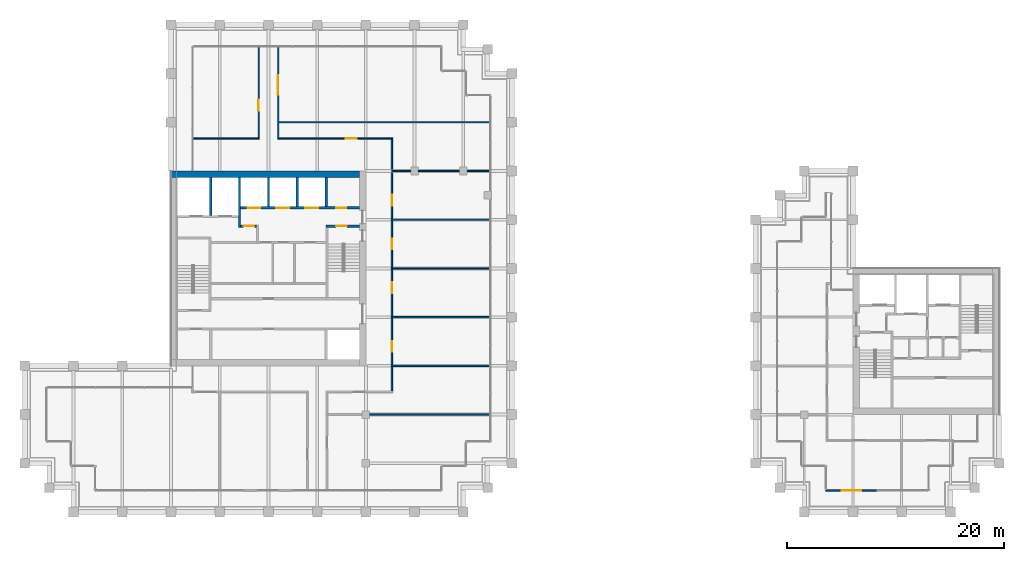
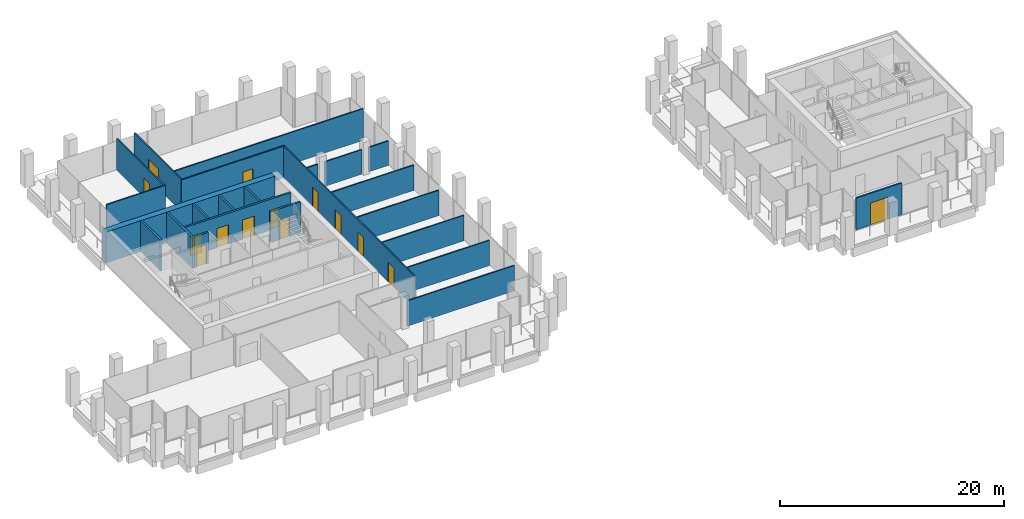
# One storey, part 37 of 40: 24 walls, 14 doors, 14 openings.
"""IFC4 building model written with IfcOpenShell, lengths in metres."""

from ifc_helpers import new_model, si_unit, direction, frame, frame_2d, origin, place, context, subcontext, project, spatial, rectangle, extrude, material, layer, layer_set, type_object, element, fill, save


model = new_model("IFC4")

# Units and contexts
model_context = context("Model", 3, precision=1e-05, world=origin(), true_north=direction((0.0, 1.0)))
body_context = subcontext(model_context, "Body", "Model", "MODEL_VIEW")
ifc_project = project(units=[si_unit("LENGTHUNIT", "METRE"), si_unit("AREAUNIT", "SQUARE_METRE"), si_unit("VOLUMEUNIT", "CUBIC_METRE"), si_unit("PLANEANGLEUNIT", "RADIAN"), si_unit("MASSUNIT", "GRAM", prefix="KILO")], contexts=[model_context])

# Site, building, storey
site_placement = place(None, origin())
site = spatial("IfcSite", under=ifc_project, at=site_placement, CompositionType="ELEMENT")
building_placement = place(site_placement, origin())
building = spatial("IfcBuilding", under=site, at=building_placement, Name="Altepetl Exchange Towers", CompositionType="ELEMENT")
storey_placement = place(building_placement, frame((0.0, 0.0, 179.800048828125)))
storey = spatial("IfcBuildingStorey", under=building, at=storey_placement, Name="L45", CompositionType="ELEMENT", Elevation=179.800048828125)

# Wall
ifc_material_1 = material(Name="Concrete C70/85", Category="concrete")
ifc_layer_1 = layer(ifc_material_1, 0.60009765625)
ifc_layer_set_1 = layer_set([ifc_layer_1], Name="Concrete C70/85")
wall_type_1 = type_object("IfcWallType", Name="Core wall 600 reinforced concrete", PredefinedType="SHEAR", material=ifc_layer_set_1)
wall_1_placement = place(storey_placement, frame((40.5, 58.199951171875, 0.0)))
element("IfcWall", 1, at=wall_1_placement, inside=storey, type_object=wall_type_1, Name="wall:A:L45:K-coreN", PredefinedType="SHEAR", context=body_context, shape_type="SweptSolid", body=[
    extrude(rectangle(XDim=17.39990234375, YDim=0.60009765625, at=frame_2d((8.699951171875, 0.0))), origin(), (0.0, 0.0, 1.0), 3.349853515625),
])

# Wall, opening, door
ifc_material_2 = material(Name="Aluminium composite cladding", Category="aluminium")
ifc_layer_2 = layer(ifc_material_2, 0.14990234375)
ifc_layer_set_2 = layer_set([ifc_layer_2], Name="Aluminium composite cladding")
wall_type_2 = type_object("IfcWallType", Name="Infill wall 150 aluminium panel", PredefinedType="SOLIDWALL", material=ifc_layer_set_2)
wall_2_placement = place(storey_placement, frame((101.0, 29.0, 0.0)))
wall_2 = element("IfcWall", 2, at=wall_2_placement, inside=storey, type_object=wall_type_2, Name="Loggia door bay wall", PredefinedType="SOLIDWALL", context=body_context, shape_type="SweptSolid", body=[
    extrude(rectangle(XDim=4.71240234375, YDim=0.14990234375, at=frame_2d((2.356201171875, 0.0))), origin(), (0.0, 0.0, 1.0), 3.449951171875),
])
opening_1_placement = place(wall_2_placement, frame((1.456298828125, 0.0, 0.0)))
opening_1 = element("IfcOpeningElement", 3, at=opening_1_placement, cuts=wall_2, Name="Opening L45.B90", PredefinedType="OPENING", context=body_context, shape_type="SweptSolid", body=[
    extrude(rectangle(XDim=1.800048828125, YDim=2.39990234375, at=frame_2d((0.89990234375, 1.199951171875))), frame((0.0, 0.0849609375, 0.0), z_axis=(0.0, -1.0, 0.0), x_axis=(1.0, 0.0, 0.0)), (0.0, 0.0, 1.0), 0.169921875),
])
ifc_material_3 = material(Name="Aluminium 6063-T6 and glass", Category="aluminium")
door_type_1 = type_object("IfcDoorType", Name="Glazed door pair 1800x2400", OperationType="DOUBLE_DOOR_DOUBLE_SWING", PredefinedType="NOTDEFINED", material=ifc_material_3)
door_1_placement = place(opening_1_placement, frame((1.800048828125, 0.0, 0.0), x_axis=(-1.0, 0.0, 0.0)))
door_1 = element("IfcDoor", 4, at=door_1_placement, inside=storey, type_object=door_type_1, Name="Loggia door", OperationType="DOUBLE_DOOR_DOUBLE_SWING", OverallHeight=2.39990234375, OverallWidth=1.800048828125, PredefinedType="NOTDEFINED", context=body_context, shape_type="SweptSolid", body=[
    extrude(rectangle(XDim=1.800048828125, YDim=2.39990234375, at=frame_2d((0.89990234375, 1.199951171875))), frame((0.0, 0.02490234375, 0.0), z_axis=(0.0, -1.0, 0.0), x_axis=(1.0, 0.0, 0.0)), (0.0, 0.0, 1.0), 0.050048828125),
])
fill(opening_1, door_1)

ifc_material_4 = material(Name="Concrete blockwork", Category="masonry")
ifc_layer_3 = layer(ifc_material_4, 0.199951171875)
ifc_layer_set_3 = layer_set([ifc_layer_3], Name="Concrete blockwork")
wall_type_3 = type_object("IfcWallType", Name="Lobby wall 200 blockwork", PredefinedType="PARTITIONING", material=ifc_layer_set_3)
wall_3_placement = place(storey_placement, frame((46.933349609375, 53.39990234375, 0.0)))
wall_3 = element("IfcWall", 5, at=wall_3_placement, inside=storey, type_object=wall_type_3, Name="wall:A:L45:K-ffN", PredefinedType="PARTITIONING", context=body_context, shape_type="SweptSolid", body=[
    extrude(rectangle(XDim=1.466552734375, YDim=0.199951171875, at=frame_2d((0.7333984375, 0.0))), origin(), (0.0, 0.0, 1.0), 3.349853515625),
])
opening_2_placement = place(wall_3_placement, frame((0.2666015625, 0.0, 0.0)))
opening_2 = element("IfcOpeningElement", 6, at=opening_2_placement, cuts=wall_3, Name="Opening L45.A65", PredefinedType="OPENING", context=body_context, shape_type="SweptSolid", body=[
    extrude(rectangle(XDim=1.0, YDim=2.10009765625, at=frame_2d((0.5, 1.050048828125))), frame((0.0, 0.10986328125, 0.0), z_axis=(0.0, -1.0, 0.0), x_axis=(1.0, 0.0, 0.0)), (0.0, 0.0, 1.0), 0.219970703125),
])
ifc_material_5 = material(Name="Steel and timber fire door", Category="steel")
door_type_2 = type_object("IfcDoorType", Name="Fire door 1000 x 2100 stair and lobby", OperationType="SINGLE_SWING_LEFT", PredefinedType="DOOR", material=ifc_material_5)
door_2_placement = place(opening_2_placement, frame((1.0, 0.0, 0.0), x_axis=(-1.0, 0.0, 0.0)))
door_2 = element("IfcDoor", 7, at=door_2_placement, inside=storey, type_object=door_type_2, Name="door:A:L45:K-dffN", OperationType="SINGLE_SWING_RIGHT", OverallHeight=2.10009765625, OverallWidth=1.0, PredefinedType="DOOR", context=body_context, shape_type="SweptSolid", body=[
    extrude(rectangle(XDim=1.0, YDim=2.10009765625, at=frame_2d((0.5, 1.050048828125))), frame((0.0, 0.02490234375, 0.0), z_axis=(0.0, -1.0, 0.0), x_axis=(1.0, 0.0, 0.0)), (0.0, 0.0, 1.0), 0.050048828125),
])
fill(opening_2, door_2)

# Walls
ifc_material_6 = material(Name="Timber panels on aluminium track", Category="wood")
ifc_layer_4 = layer(ifc_material_6, 0.125)
ifc_layer_set_4 = layer_set([ifc_layer_4], Name="Timber panels on aluminium track")
wall_type_4 = type_object("IfcWallType", Name="Operable acoustic partition 125", PredefinedType="MOVABLE", material=ifc_layer_set_4)
wall_4_placement = place(storey_placement, frame((60.89990234375, 45.0, 0.0)))
element("IfcWall", 8, at=wall_4_placement, inside=storey, type_object=wall_type_4, Name="wall:A:L45:P06", PredefinedType="MOVABLE", context=body_context, shape_type="SweptSolid", body=[
    extrude(rectangle(XDim=9.0, YDim=0.125, at=frame_2d((4.5, 0.0))), origin(), (0.0, 0.0, 1.0), 2.765869140625),
])
ifc_material_7 = material(Name="Gypsum board on steel studs", Category="steel")
ifc_layer_5 = layer(ifc_material_7, 0.125)
ifc_layer_set_5 = layer_set([ifc_layer_5], Name="Gypsum board on steel studs")
wall_type_5 = type_object("IfcWallType", Name="Partition 125 gypsum board on steel studs", PredefinedType="PARTITIONING", material=ifc_layer_set_5)
wall_5_placement = place(storey_placement, frame((58.85009765625, 36.0, 0.0)))
element("IfcWall", 9, at=wall_5_placement, inside=storey, type_object=wall_type_5, Name="wall:A:L45:P02", PredefinedType="PARTITIONING", context=body_context, shape_type="SweptSolid", body=[
    extrude(rectangle(XDim=11.0498046875, YDim=0.125, at=frame_2d((5.52490234375, 0.0))), origin(), (0.0, 0.0, 1.0), 2.765869140625),
])
for number, where, name in (
    (10, (60.89990234375, 40.5, 0.0), "wall:A:L45:P05"),
    (11, (60.89990234375, 49.5, 0.0), "wall:A:L45:P07"),
    (12, (60.89990234375, 54.0, 0.0), "wall:A:L45:P08"),
):
    element("IfcWall", number, at=place(storey_placement, frame(where)), inside=storey, type_object=wall_type_5, Name=name, PredefinedType="PARTITIONING", context=body_context, shape_type="SweptSolid", body=[
        extrude(rectangle(XDim=9.0, YDim=0.125, at=frame_2d((4.5, 0.0))), origin(), (0.0, 0.0, 1.0), 2.765869140625),
    ])
wall_6_placement = place(storey_placement, frame((60.89990234375, 58.5, 0.0)))
element("IfcWall", 13, at=wall_6_placement, inside=storey, type_object=wall_type_5, Name="wall:A:L45:P09", PredefinedType="PARTITIONING", context=body_context, shape_type="SweptSolid", body=[
    extrude(rectangle(XDim=1.75, YDim=0.125, at=frame_2d((0.875, 0.0))), origin(), (0.0, 0.0, 1.0), 2.676025390625),
])
wall_7_placement = place(storey_placement, frame((63.35009765625, 58.5, 0.0)))
element("IfcWall", 14, at=wall_7_placement, inside=storey, type_object=wall_type_5, Name="wall:A:L45:P10", PredefinedType="PARTITIONING", context=body_context, shape_type="SweptSolid", body=[
    extrude(rectangle(XDim=3.7998046875, YDim=0.125, at=frame_2d((1.89990234375, 0.0))), origin(), (0.0, 0.0, 1.0), 2.676025390625),
])
wall_8_placement = place(storey_placement, frame((67.85009765625, 58.5, 0.0)))
element("IfcWall", 15, at=wall_8_placement, inside=storey, type_object=wall_type_5, Name="wall:A:L45:P11", PredefinedType="PARTITIONING", context=body_context, shape_type="SweptSolid", body=[
    extrude(rectangle(XDim=2.0498046875, YDim=0.125, at=frame_2d((1.02490234375, 0.0))), origin(), (0.0, 0.0, 1.0), 2.676025390625),
])
wall_9_placement = place(storey_placement, frame((42.60009765625, 61.5, 0.0)))
element("IfcWall", 16, at=wall_9_placement, inside=storey, type_object=wall_type_5, Name="wall:A:L45:P12", PredefinedType="PARTITIONING", context=body_context, shape_type="SweptSolid", body=[
    extrude(rectangle(XDim=6.0625, YDim=0.125, at=frame_2d((3.03125, 0.0))), origin(), (0.0, 0.0, 1.0), 3.449951171875),
])

# Wall, opening, door
wall_10_placement = place(storey_placement, frame((50.33740234375, 61.5, 0.0)))
wall_10 = element("IfcWall", 17, at=wall_10_placement, inside=storey, type_object=wall_type_5, Name="wall:A:L45:P13", PredefinedType="PARTITIONING", context=body_context, shape_type="SweptSolid", body=[
    extrude(rectangle(XDim=10.625, YDim=0.125, at=frame_2d((5.3125, 0.0))), origin(), (0.0, 0.0, 1.0), 3.449951171875),
])
opening_3_placement = place(wall_10_placement, frame((6.3173828125, 0.0, 0.0)))
opening_3 = element("IfcOpeningElement", 18, at=opening_3_placement, cuts=wall_10, Name="Opening L45.A09", PredefinedType="OPENING", context=body_context, shape_type="SweptSolid", body=[
    extrude(rectangle(XDim=1.0, YDim=2.10009765625, at=frame_2d((0.5, 1.050048828125))), frame((0.0, 0.072509765625, 0.0), z_axis=(0.0, -1.0, 0.0), x_axis=(1.0, 0.0, 0.0)), (0.0, 0.0, 1.0), 0.14501953125),
])
door_type_3 = type_object("IfcDoorType", Name="Fire door 1000 x 2100 single leaf", OperationType="SINGLE_SWING_LEFT", PredefinedType="DOOR", material=ifc_material_5)
door_3_placement = place(opening_3_placement, frame((1.0, 0.0, 0.0), x_axis=(-1.0, 0.0, 0.0)))
door_3 = element("IfcDoor", 19, at=door_3_placement, inside=storey, type_object=door_type_3, Name="door:A:L45:09", OperationType="SINGLE_SWING_LEFT", OverallHeight=2.10009765625, OverallWidth=1.0, PredefinedType="DOOR", context=body_context, shape_type="SweptSolid", body=[
    extrude(rectangle(XDim=1.0, YDim=2.10009765625, at=frame_2d((0.5, 1.050048828125))), frame((0.0, 0.02490234375, 0.0), z_axis=(0.0, -1.0, 0.0), x_axis=(1.0, 0.0, 0.0)), (0.0, 0.0, 1.0), 0.050048828125),
])
fill(opening_3, door_3)

# Wall
wall_11_placement = place(storey_placement, frame((50.39990234375, 63.0, 0.0)))
element("IfcWall", 20, at=wall_11_placement, inside=storey, type_object=wall_type_5, Name="wall:A:L45:P14", PredefinedType="PARTITIONING", context=body_context, shape_type="SweptSolid", body=[
    extrude(rectangle(XDim=19.5, YDim=0.125, at=frame_2d((9.75, 0.0))), origin(), (0.0, 0.0, 1.0), 3.449951171875),
])

# Wall, opening, door
wall_12_placement = place(storey_placement, frame((48.60009765625, 61.5625, 0.0), z_axis=(0.0, 0.0, 1.0), x_axis=(0.0, 1.0, 0.0)))
wall_12 = element("IfcWall", 21, at=wall_12_placement, inside=storey, type_object=wall_type_5, Name="wall:A:L45:P17", PredefinedType="PARTITIONING", context=body_context, shape_type="SweptSolid", body=[
    extrude(rectangle(XDim=8.33740234375, YDim=0.125, at=frame_2d((4.168701171875, 0.0))), origin(), (0.0, 0.0, 1.0), 3.449951171875),
])
opening_4_placement = place(wall_12_placement, frame((2.49951171875, 0.0, 0.0)))
opening_4 = element("IfcOpeningElement", 22, at=opening_4_placement, cuts=wall_12, Name="Opening L45.A11", PredefinedType="OPENING", context=body_context, shape_type="SweptSolid", body=[
    extrude(rectangle(XDim=1.0, YDim=2.10009765625, at=frame_2d((0.5, 1.050048828125))), frame((0.0, 0.072509765625, 0.0), z_axis=(0.0, -1.0, 0.0), x_axis=(1.0, 0.0, 0.0)), (0.0, 0.0, 1.0), 0.14501953125),
])
door_4_placement = place(opening_4_placement, origin())
door_4 = element("IfcDoor", 23, at=door_4_placement, inside=storey, type_object=door_type_3, Name="door:A:L45:11", OperationType="SINGLE_SWING_RIGHT", OverallHeight=2.10009765625, OverallWidth=1.0, PredefinedType="DOOR", context=body_context, shape_type="SweptSolid", body=[
    extrude(rectangle(XDim=1.0, YDim=2.10009765625, at=frame_2d((0.5, 1.050048828125))), frame((0.0, 0.02490234375, 0.0), z_axis=(0.0, -1.0, 0.0), x_axis=(1.0, 0.0, 0.0)), (0.0, 0.0, 1.0), 0.050048828125),
])
fill(opening_4, door_4)

wall_13_placement = place(storey_placement, frame((50.39990234375, 61.5625, 0.0), z_axis=(0.0, 0.0, 1.0), x_axis=(0.0, 1.0, 0.0)))
wall_13 = element("IfcWall", 24, at=wall_13_placement, inside=storey, type_object=wall_type_5, Name="wall:A:L45:P18", PredefinedType="PARTITIONING", context=body_context, shape_type="SweptSolid", body=[
    extrude(rectangle(XDim=8.33740234375, YDim=0.125, at=frame_2d((4.168701171875, 0.0))), origin(), (0.0, 0.0, 1.0), 3.449951171875),
])
opening_5_placement = place(wall_13_placement, frame((3.987548828125, 0.0, 0.0)))
opening_5 = element("IfcOpeningElement", 25, at=opening_5_placement, cuts=wall_13, Name="Opening L45.A10", PredefinedType="OPENING", context=body_context, shape_type="SweptSolid", body=[
    extrude(rectangle(XDim=1.800048828125, YDim=2.10009765625, at=frame_2d((0.89990234375, 1.050048828125))), frame((0.0, 0.072509765625, 0.0), z_axis=(0.0, -1.0, 0.0), x_axis=(1.0, 0.0, 0.0)), (0.0, 0.0, 1.0), 0.14501953125),
])
door_type_4 = type_object("IfcDoorType", Name="Fire door 1800 x 2100 double leaf", OperationType="DOUBLE_DOOR_SINGLE_SWING", PredefinedType="DOOR", material=ifc_material_5)
door_5_placement = place(opening_5_placement, frame((1.800048828125, 0.0, 0.0), x_axis=(-1.0, 0.0, 0.0)))
door_5 = element("IfcDoor", 26, at=door_5_placement, inside=storey, type_object=door_type_4, Name="door:A:L45:10", OperationType="DOUBLE_DOOR_SINGLE_SWING", OverallHeight=2.10009765625, OverallWidth=1.800048828125, PredefinedType="DOOR", context=body_context, shape_type="SweptSolid", body=[
    extrude(rectangle(XDim=1.800048828125, YDim=2.10009765625, at=frame_2d((0.89990234375, 1.050048828125))), frame((0.0, 0.02490234375, 0.0), z_axis=(0.0, -1.0, 0.0), x_axis=(1.0, 0.0, 0.0)), (0.0, 0.0, 1.0), 0.050048828125),
])
fill(opening_5, door_5)

# Wall, openings, doors
wall_14_placement = place(storey_placement, frame((60.89990234375, 38.16259765625, 0.0), z_axis=(0.0, 0.0, 1.0), x_axis=(0.0, 1.0, 0.0)))
wall_14 = element("IfcWall", 27, at=wall_14_placement, inside=storey, type_object=wall_type_5, Name="wall:A:L45:P21", PredefinedType="PARTITIONING", context=body_context, shape_type="SweptSolid", body=[
    extrude(rectangle(XDim=23.27490234375, YDim=0.125, at=frame_2d((11.637451171875, 0.0))), origin(), (0.0, 0.0, 1.0), 3.449951171875),
])
opening_6_placement = place(wall_14_placement, frame((3.632568359375, 0.0, 0.0)))
opening_6 = element("IfcOpeningElement", 28, at=opening_6_placement, cuts=wall_14, Name="Opening L45.A05", PredefinedType="OPENING", context=body_context, shape_type="SweptSolid", body=[
    extrude(rectangle(XDim=1.0, YDim=2.10009765625, at=frame_2d((0.5, 1.050048828125))), frame((0.0, 0.072509765625, 0.0), z_axis=(0.0, -1.0, 0.0), x_axis=(1.0, 0.0, 0.0)), (0.0, 0.0, 1.0), 0.14501953125),
])
opening_7_placement = place(wall_14_placement, frame((9.04248046875, 0.0, 0.0)))
opening_7 = element("IfcOpeningElement", 29, at=opening_7_placement, cuts=wall_14, Name="Opening L45.A06", PredefinedType="OPENING", context=body_context, shape_type="SweptSolid", body=[
    extrude(rectangle(XDim=1.0, YDim=2.10009765625, at=frame_2d((0.5, 1.050048828125))), frame((0.0, 0.072509765625, 0.0), z_axis=(0.0, -1.0, 0.0), x_axis=(1.0, 0.0, 0.0)), (0.0, 0.0, 1.0), 0.14501953125),
])
opening_8_placement = place(wall_14_placement, frame((13.08740234375, 0.0, 0.0)))
opening_8 = element("IfcOpeningElement", 30, at=opening_8_placement, cuts=wall_14, Name="Opening L45.A07", PredefinedType="OPENING", context=body_context, shape_type="SweptSolid", body=[
    extrude(rectangle(XDim=1.0, YDim=2.10009765625, at=frame_2d((0.5, 1.050048828125))), frame((0.0, 0.072509765625, 0.0), z_axis=(0.0, -1.0, 0.0), x_axis=(1.0, 0.0, 0.0)), (0.0, 0.0, 1.0), 0.14501953125),
])
opening_9_placement = place(wall_14_placement, frame((17.132568359375, 0.0, 0.0)))
opening_9 = element("IfcOpeningElement", 31, at=opening_9_placement, cuts=wall_14, Name="Opening L45.A08", PredefinedType="OPENING", context=body_context, shape_type="SweptSolid", body=[
    extrude(rectangle(XDim=1.0, YDim=2.10009765625, at=frame_2d((0.5, 1.050048828125))), frame((0.0, 0.072509765625, 0.0), z_axis=(0.0, -1.0, 0.0), x_axis=(1.0, 0.0, 0.0)), (0.0, 0.0, 1.0), 0.14501953125),
])
door_6_placement = place(opening_6_placement, frame((1.0, 0.0, 0.0), x_axis=(-1.0, 0.0, 0.0)))
door_6 = element("IfcDoor", 32, at=door_6_placement, inside=storey, type_object=door_type_3, Name="door:A:L45:05", OperationType="SINGLE_SWING_LEFT", OverallHeight=2.10009765625, OverallWidth=1.0, PredefinedType="DOOR", context=body_context, shape_type="SweptSolid", body=[
    extrude(rectangle(XDim=1.0, YDim=2.10009765625, at=frame_2d((0.5, 1.050048828125))), frame((0.0, 0.02490234375, 0.0), z_axis=(0.0, -1.0, 0.0), x_axis=(1.0, 0.0, 0.0)), (0.0, 0.0, 1.0), 0.050048828125),
])
fill(opening_6, door_6)
door_7_placement = place(opening_7_placement, frame((1.0, 0.0, 0.0), x_axis=(-1.0, 0.0, 0.0)))
door_7 = element("IfcDoor", 33, at=door_7_placement, inside=storey, type_object=door_type_3, Name="door:A:L45:06", OperationType="SINGLE_SWING_RIGHT", OverallHeight=2.10009765625, OverallWidth=1.0, PredefinedType="DOOR", context=body_context, shape_type="SweptSolid", body=[
    extrude(rectangle(XDim=1.0, YDim=2.10009765625, at=frame_2d((0.5, 1.050048828125))), frame((0.0, 0.02490234375, 0.0), z_axis=(0.0, -1.0, 0.0), x_axis=(1.0, 0.0, 0.0)), (0.0, 0.0, 1.0), 0.050048828125),
])
fill(opening_7, door_7)
door_8_placement = place(opening_8_placement, frame((1.0, 0.0, 0.0), x_axis=(-1.0, 0.0, 0.0)))
door_8 = element("IfcDoor", 34, at=door_8_placement, inside=storey, type_object=door_type_3, Name="door:A:L45:07", OperationType="SINGLE_SWING_LEFT", OverallHeight=2.10009765625, OverallWidth=1.0, PredefinedType="DOOR", context=body_context, shape_type="SweptSolid", body=[
    extrude(rectangle(XDim=1.0, YDim=2.10009765625, at=frame_2d((0.5, 1.050048828125))), frame((0.0, 0.02490234375, 0.0), z_axis=(0.0, -1.0, 0.0), x_axis=(1.0, 0.0, 0.0)), (0.0, 0.0, 1.0), 0.050048828125),
])
fill(opening_8, door_8)
door_9_placement = place(opening_9_placement, frame((1.0, 0.0, 0.0), x_axis=(-1.0, 0.0, 0.0)))
door_9 = element("IfcDoor", 35, at=door_9_placement, inside=storey, type_object=door_type_3, Name="door:A:L45:08", OperationType="SINGLE_SWING_RIGHT", OverallHeight=2.10009765625, OverallWidth=1.0, PredefinedType="DOOR", context=body_context, shape_type="SweptSolid", body=[
    extrude(rectangle(XDim=1.0, YDim=2.10009765625, at=frame_2d((0.5, 1.050048828125))), frame((0.0, 0.02490234375, 0.0), z_axis=(0.0, -1.0, 0.0), x_axis=(1.0, 0.0, 0.0)), (0.0, 0.0, 1.0), 0.050048828125),
])
fill(opening_9, door_9)

# Walls
ifc_material_8 = material(Name="Concrete C40/50", Category="concrete")
ifc_layer_6 = layer(ifc_material_8, 0.199951171875)
ifc_layer_set_6 = layer_set([ifc_layer_6], Name="Concrete C40/50")
wall_type_6 = type_object("IfcWallType", Name="Shaft wall 200 reinforced concrete", PredefinedType="SHEAR", material=ifc_layer_set_6)
wall_15_placement = place(storey_placement, frame((44.166748046875, 57.89990234375, 0.0), z_axis=(0.0, 0.0, 1.0), x_axis=(0.0, -1.0, 0.0)))
element("IfcWall", 36, at=wall_15_placement, inside=storey, type_object=wall_type_6, Name="wall:A:L45:K-divN1", PredefinedType="SHEAR", context=body_context, shape_type="SweptSolid", body=[
    extrude(rectangle(XDim=3.5, YDim=0.199951171875, at=frame_2d((1.75, 0.0))), origin(), (0.0, 0.0, 1.0), 3.349853515625),
])
wall_16_placement = place(storey_placement, frame((46.833251953125, 57.89990234375, 0.0), z_axis=(0.0, 0.0, 1.0), x_axis=(0.0, -1.0, 0.0)))
element("IfcWall", 37, at=wall_16_placement, inside=storey, type_object=wall_type_6, Name="wall:A:L45:K-divN2", PredefinedType="SHEAR", context=body_context, shape_type="SweptSolid", body=[
    extrude(rectangle(XDim=4.599853515625, YDim=0.199951171875, at=frame_2d((2.2998046875, 0.0))), origin(), (0.0, 0.0, 1.0), 3.349853515625),
])
for number, where, z_axis, x_axis, name in (
    (38, (49.5, 57.89990234375, 0.0), (0.0, 0.0, 1.0), (0.0, -1.0, 0.0), "wall:A:L45:K-divN3"),
    (39, (52.166748046875, 57.89990234375, 0.0), (0.0, 0.0, 1.0), (0.0, -1.0, 0.0), "wall:A:L45:K-divN4"),
    (40, (54.833251953125, 57.89990234375, 0.0), (0.0, 0.0, 1.0), (0.0, -1.0, 0.0), "wall:A:L45:K-divN5"),
):
    element("IfcWall", number, at=place(storey_placement, frame(where, z_axis=z_axis, x_axis=x_axis)), inside=storey, type_object=wall_type_6, Name=name, PredefinedType="SHEAR", context=body_context, shape_type="SweptSolid", body=[
        extrude(rectangle(XDim=2.699951171875, YDim=0.199951171875, at=frame_2d((1.35009765625, 0.0))), origin(), (0.0, 0.0, 1.0), 3.349853515625),
    ])

# Wall, openings, doors
wall_17_placement = place(storey_placement, frame((46.933349609375, 55.10009765625, 0.0)))
wall_17 = element("IfcWall", 41, at=wall_17_placement, inside=storey, type_object=wall_type_6, Name="wall:A:L45:K-frontNb", PredefinedType="SHEAR", context=body_context, shape_type="SweptSolid", body=[
    extrude(rectangle(XDim=10.966552734375, YDim=0.199951171875, at=frame_2d((5.4833984375, 0.0))), origin(), (0.0, 0.0, 1.0), 3.349853515625),
])
opening_10_placement = place(wall_17_placement, frame((8.83349609375, 0.0, 0.0)))
opening_10 = element("IfcOpeningElement", 42, at=opening_10_placement, cuts=wall_17, Name="Opening L45.A66", PredefinedType="OPENING", context=body_context, shape_type="SweptSolid", body=[
    extrude(rectangle(XDim=0.89990234375, YDim=2.10009765625, at=frame_2d((0.449951171875, 1.050048828125))), frame((0.0, 0.10986328125, 0.0), z_axis=(0.0, -1.0, 0.0), x_axis=(1.0, 0.0, 0.0)), (0.0, 0.0, 1.0), 0.219970703125),
])
opening_11_placement = place(wall_17_placement, frame((0.63330078125, 0.0, 0.0)))
opening_11 = element("IfcOpeningElement", 43, at=opening_11_placement, cuts=wall_17, Name="Opening L45.A75", PredefinedType="OPENING", context=body_context, shape_type="SweptSolid", body=[
    extrude(rectangle(XDim=1.199951171875, YDim=2.10009765625, at=frame_2d((0.60009765625, 1.050048828125))), frame((0.0, 0.10986328125, 0.0), z_axis=(0.0, -1.0, 0.0), x_axis=(1.0, 0.0, 0.0)), (0.0, 0.0, 1.0), 0.219970703125),
])
opening_12_placement = place(wall_17_placement, frame((3.300048828125, 0.0, 0.0)))
opening_12 = element("IfcOpeningElement", 44, at=opening_12_placement, cuts=wall_17, Name="Opening L45.A76", PredefinedType="OPENING", context=body_context, shape_type="SweptSolid", body=[
    extrude(rectangle(XDim=1.199951171875, YDim=2.10009765625, at=frame_2d((0.60009765625, 1.050048828125))), frame((0.0, 0.10986328125, 0.0), z_axis=(0.0, -1.0, 0.0), x_axis=(1.0, 0.0, 0.0)), (0.0, 0.0, 1.0), 0.219970703125),
])
opening_13_placement = place(wall_17_placement, frame((5.966796875, 0.0, 0.0)))
opening_13 = element("IfcOpeningElement", 45, at=opening_13_placement, cuts=wall_17, Name="Opening L45.A77", PredefinedType="OPENING", context=body_context, shape_type="SweptSolid", body=[
    extrude(rectangle(XDim=1.199951171875, YDim=2.10009765625, at=frame_2d((0.60009765625, 1.050048828125))), frame((0.0, 0.10986328125, 0.0), z_axis=(0.0, -1.0, 0.0), x_axis=(1.0, 0.0, 0.0)), (0.0, 0.0, 1.0), 0.219970703125),
])
door_type_5 = type_object("IfcDoorType", Name="Fire door 900 x 2100 service room", OperationType="SINGLE_SWING_LEFT", PredefinedType="DOOR", material=ifc_material_5)
door_10_placement = place(opening_10_placement, origin())
door_10 = element("IfcDoor", 46, at=door_10_placement, inside=storey, type_object=door_type_5, Name="door:A:L45:K-driser", OperationType="SINGLE_SWING_RIGHT", OverallHeight=2.10009765625, OverallWidth=0.89990234375, PredefinedType="DOOR", context=body_context, shape_type="SweptSolid", body=[
    extrude(rectangle(XDim=0.89990234375, YDim=2.10009765625, at=frame_2d((0.449951171875, 1.050048828125))), frame((0.0, 0.02490234375, 0.0), z_axis=(0.0, -1.0, 0.0), x_axis=(1.0, 0.0, 0.0)), (0.0, 0.0, 1.0), 0.050048828125),
])
fill(opening_10, door_10)
ifc_material_9 = material(Name="Stainless steel", Category="steel")
door_type_6 = type_object("IfcDoorType", Name="Lift landing door 1200 x 2100", OperationType="SLIDING_TO_LEFT", PredefinedType="DOOR", material=ifc_material_9)
door_11_placement = place(opening_11_placement, origin())
door_11 = element("IfcDoor", 47, at=door_11_placement, inside=storey, type_object=door_type_6, Name="Landing door P5", OperationType="SLIDING_TO_LEFT", OverallHeight=2.10009765625, OverallWidth=1.199951171875, PredefinedType="DOOR", context=body_context, shape_type="SweptSolid", body=[
    extrude(rectangle(XDim=1.199951171875, YDim=2.10009765625, at=frame_2d((0.60009765625, 1.050048828125))), frame((0.0, 0.02490234375, 0.0), z_axis=(0.0, -1.0, 0.0), x_axis=(1.0, 0.0, 0.0)), (0.0, 0.0, 1.0), 0.050048828125),
])
fill(opening_11, door_11)
door_12_placement = place(opening_12_placement, origin())
door_12 = element("IfcDoor", 48, at=door_12_placement, inside=storey, type_object=door_type_6, Name="Landing door P6", OperationType="SLIDING_TO_LEFT", OverallHeight=2.10009765625, OverallWidth=1.199951171875, PredefinedType="DOOR", context=body_context, shape_type="SweptSolid", body=[
    extrude(rectangle(XDim=1.199951171875, YDim=2.10009765625, at=frame_2d((0.60009765625, 1.050048828125))), frame((0.0, 0.02490234375, 0.0), z_axis=(0.0, -1.0, 0.0), x_axis=(1.0, 0.0, 0.0)), (0.0, 0.0, 1.0), 0.050048828125),
])
fill(opening_12, door_12)
door_13_placement = place(opening_13_placement, origin())
door_13 = element("IfcDoor", 49, at=door_13_placement, inside=storey, type_object=door_type_6, Name="Landing door P7", OperationType="SLIDING_TO_LEFT", OverallHeight=2.10009765625, OverallWidth=1.199951171875, PredefinedType="DOOR", context=body_context, shape_type="SweptSolid", body=[
    extrude(rectangle(XDim=1.199951171875, YDim=2.10009765625, at=frame_2d((0.60009765625, 1.050048828125))), frame((0.0, 0.02490234375, 0.0), z_axis=(0.0, -1.0, 0.0), x_axis=(1.0, 0.0, 0.0)), (0.0, 0.0, 1.0), 0.050048828125),
])
fill(opening_13, door_13)

# Wall, opening, door
ifc_layer_7 = layer(ifc_material_8, 0.199951171875)
ifc_layer_set_7 = layer_set([ifc_layer_7], Name="Concrete C40/50")
wall_type_7 = type_object("IfcWallType", Name="Stair wall 200 reinforced concrete", PredefinedType="SHEAR", material=ifc_layer_set_7)
wall_18_placement = place(storey_placement, frame((54.800048828125, 53.39990234375, 0.0)))
wall_18 = element("IfcWall", 50, at=wall_18_placement, inside=storey, type_object=wall_type_7, Name="wall:A:L45:K-stS2N", PredefinedType="SHEAR", context=body_context, shape_type="SweptSolid", body=[
    extrude(rectangle(XDim=3.099853515625, YDim=0.199951171875, at=frame_2d((1.5498046875, 0.0))), origin(), (0.0, 0.0, 1.0), 3.349853515625),
])
opening_14_placement = place(wall_18_placement, frame((0.949951171875, 0.0, 0.0)))
opening_14 = element("IfcOpeningElement", 51, at=opening_14_placement, cuts=wall_18, Name="Opening L45.A63", PredefinedType="OPENING", context=body_context, shape_type="SweptSolid", body=[
    extrude(rectangle(XDim=1.0, YDim=2.10009765625, at=frame_2d((0.5, 1.050048828125))), frame((0.0, 0.10986328125, 0.0), z_axis=(0.0, -1.0, 0.0), x_axis=(1.0, 0.0, 0.0)), (0.0, 0.0, 1.0), 0.219970703125),
])
door_14_placement = place(opening_14_placement, frame((1.0, 0.0, 0.0), x_axis=(-1.0, 0.0, 0.0)))
door_14 = element("IfcDoor", 52, at=door_14_placement, inside=storey, type_object=door_type_2, Name="door:A:L45:K-dS2in", OperationType="SINGLE_SWING_LEFT", OverallHeight=2.10009765625, OverallWidth=1.0, PredefinedType="DOOR", context=body_context, shape_type="SweptSolid", body=[
    extrude(rectangle(XDim=1.0, YDim=2.10009765625, at=frame_2d((0.5, 1.050048828125))), frame((0.0, 0.02490234375, 0.0), z_axis=(0.0, -1.0, 0.0), x_axis=(1.0, 0.0, 0.0)), (0.0, 0.0, 1.0), 0.050048828125),
])
fill(opening_14, door_14)

save(model, "model.ifc")
